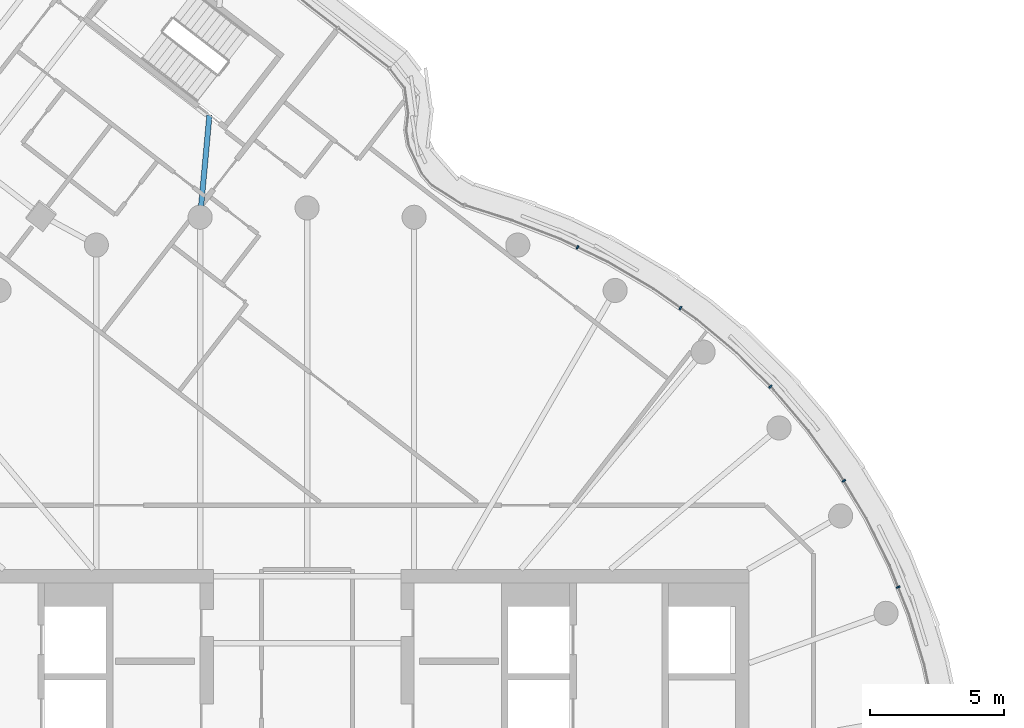
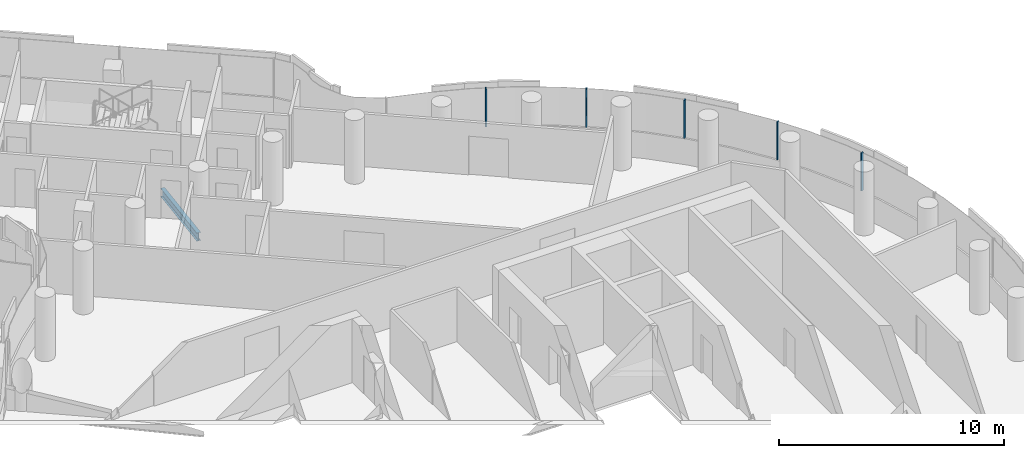
# One storey, part 13 of 26: 5 members, 1 beam, 1 element without a shape of its own.
"""IFC4 building model written with IfcOpenShell, lengths in metres."""

import ifcopenshell
import ifcopenshell.guid

model = None  # the IFC model being written
_history = None  # IfcOwnerHistory: only IFC2X3 demands one
_inside = {}  # id of a spatial element -> (the spatial element, [elements in it])
_under = {}  # id of a project, library or spatial element -> (it, [spatial elements below it])
_declared = {}  # id of a project -> (the project, [libraries it declares])
_typed = {}  # id of a type object -> (the type object, [elements of that type])
_made_of = {}  # id of a material, layer set ... -> (it, [elements and type objects made of it])


def new_model(schema):
    """Start an empty IFC model of exactly this schema.

    Asked for "IFC4X3", IfcOpenShell would pick the latest addendum, in which some entities
    have other attributes; the version numbers below select the first issue.
    IFC2X3 requires an IfcOwnerHistory on every rooted entity: one is made here for all.
    """
    global model, _history
    if schema == "IFC4X3":
        model = ifcopenshell.file(schema_version=(4, 3, 0, 0))
    else:
        model = ifcopenshell.file(schema=schema)
    _inside.clear()
    _under.clear()
    _declared.clear()
    _typed.clear()
    _made_of.clear()
    _history = None
    if model.schema == "IFC2X3":
        org = make("IfcOrganization", Name="unknown")
        user = make(
            "IfcPersonAndOrganization",
            ThePerson=make("IfcPerson", FamilyName="unknown"),
            TheOrganization=org,
        )
        app = make(
            "IfcApplication",
            ApplicationDeveloper=org,
            Version="unknown",
            ApplicationFullName="unknown",
            ApplicationIdentifier="unknown",
        )
        _history = make(
            "IfcOwnerHistory",
            OwningUser=user,
            OwningApplication=app,
            ChangeAction="ADDED",
            CreationDate=0,
        )
    return model


def make(cls, **values):
    """One entity of the class cls with the attributes given. An attribute that is None is left unset."""
    return model.create_entity(
        cls, **{name: value for name, value in values.items() if value is not None}
    )


def rooted(cls, **values):
    """An entity with a GlobalId (a new one), such as an element, a storey or a relation."""
    return make(cls, GlobalId=ifcopenshell.guid.new(), OwnerHistory=_history, **values)


def si_unit(unit_type, name, prefix=None):
    """IfcSIUnit, for example si_unit("LENGTHUNIT", "METRE", prefix="MILLI")."""
    return make("IfcSIUnit", UnitType=unit_type, Prefix=prefix, Name=name)


def assignment(units):
    """IfcUnitAssignment: the units of a project."""
    return None if units is None else make("IfcUnitAssignment", Units=units)


def point(xyz):
    """IfcCartesianPoint."""
    return None if xyz is None else make("IfcCartesianPoint", Coordinates=xyz)


def direction(xyz):
    """IfcDirection."""
    return None if xyz is None else make("IfcDirection", DirectionRatios=xyz)


def frame(location, z_axis=None, x_axis=None):
    """IfcAxis2Placement3D, a coordinate frame: its origin and axes. An axis left out is left unset."""
    return make(
        "IfcAxis2Placement3D",
        Location=point(location),
        Axis=direction(z_axis),
        RefDirection=direction(x_axis),
    )


def frame_2d(location, x_axis=None):
    """IfcAxis2Placement2D, a coordinate frame in the plane: its origin and x axis."""
    return make(
        "IfcAxis2Placement2D", Location=point(location), RefDirection=direction(x_axis)
    )


def origin():
    """The frame at (0, 0, 0) with its axes left unset."""
    return frame((0.0, 0.0, 0.0))


def origin_2d():
    """The frame at (0, 0) in the plane with its x axis left unset."""
    return frame_2d((0.0, 0.0))


def place(relative_to, where):
    """IfcLocalPlacement: puts the frame where relative to a parent placement (None: the world)."""
    return make(
        "IfcLocalPlacement", PlacementRelTo=relative_to, RelativePlacement=where
    )


def context(
    kind, dimensions, precision=None, world=None, true_north=None, identifier=None
):
    """IfcGeometricRepresentationContext, for example the 3D "Model" context."""
    return make(
        "IfcGeometricRepresentationContext",
        ContextIdentifier=identifier,
        ContextType=kind,
        CoordinateSpaceDimension=dimensions,
        Precision=precision,
        WorldCoordinateSystem=world,
        TrueNorth=true_north,
    )


def subcontext(parent, identifier, kind, view, scale=None):
    """IfcGeometricRepresentationSubContext, for example "Body" below "Model"."""
    return make(
        "IfcGeometricRepresentationSubContext",
        ContextIdentifier=identifier,
        ContextType=kind,
        ParentContext=parent,
        TargetScale=scale,
        TargetView=view,
    )


def project(units=None, contexts=None):
    """IfcProject with its units and contexts."""
    return rooted(
        "IfcProject",
        Name="project",
        RepresentationContexts=contexts,
        UnitsInContext=assignment(units),
    )


def spatial(cls, under=None, at=None, **own):
    """A site, building, storey or space (cls), placed at a placement, below another one or the project."""
    s = rooted(cls, ObjectPlacement=at, **own)
    if under is not None:
        _under.setdefault(under.id(), (under, []))[1].append(s)
    return s


def profile(cls, at=None, kind="AREA", **sizes):
    """A parametric profile (cls). Its sizes go by their IFC names, for example OverallWidth=200.0."""
    return make(cls, ProfileType=kind, Position=at, **sizes)


def rectangle(**sizes):
    """IfcRectangleProfileDef."""
    return profile("IfcRectangleProfileDef", **sizes)


def i_section(**sizes):
    """IfcIShapeProfileDef."""
    return profile("IfcIShapeProfileDef", **sizes)


def extrude(swept, where, along, depth):
    """IfcExtrudedAreaSolid: the profile swept, set in the frame where, extruded along a direction by depth."""
    return make(
        "IfcExtrudedAreaSolid",
        SweptArea=swept,
        Position=where,
        ExtrudedDirection=direction(along),
        Depth=depth,
    )


def shape(context_of_items, identifier, shape_type, items):
    """IfcShapeRepresentation: the items that make up one representation, for example the "Body"."""
    return make(
        "IfcShapeRepresentation",
        ContextOfItems=context_of_items,
        RepresentationIdentifier=identifier,
        RepresentationType=shape_type,
        Items=items,
    )


def material(Name=None, Category=None):
    """IfcMaterial."""
    return make("IfcMaterial", Name=Name, Category=Category)


def layer(
    of_material, thickness, ventilated=None, Name=None, Category=None, Priority=None
):
    """IfcMaterialLayer: one layer of a wall or slab, of a material (None: an air gap)."""
    return make(
        "IfcMaterialLayer",
        Material=of_material,
        LayerThickness=thickness,
        IsVentilated=ventilated,
        Name=Name,
        Category=Category,
        Priority=Priority,
    )


def layer_set(layers, Name=None):
    """IfcMaterialLayerSet."""
    return make("IfcMaterialLayerSet", MaterialLayers=layers, LayerSetName=Name)


def material_profile(
    of_material, cross_section, Name=None, Category=None, Priority=None
):
    """IfcMaterialProfile: a cross section and its material."""
    return make(
        "IfcMaterialProfile",
        Name=Name,
        Material=of_material,
        Profile=cross_section,
        Priority=Priority,
        Category=Category,
    )


def profile_set(profiles, Name=None, composite=None):
    """IfcMaterialProfileSet."""
    return make(
        "IfcMaterialProfileSet",
        Name=Name,
        MaterialProfiles=profiles,
        CompositeProfile=composite,
    )


def made_of(thing, what):
    """Note that an element or type object is made of a material, layer set ...; save() writes the relation."""
    if what is not None:
        _made_of.setdefault(what.id(), (what, []))[1].append(thing)
    return thing


def type_object(cls, material=None, **own):
    """A type object (cls), such as IfcWallType, which elements share."""
    return made_of(rooted(cls, **own), material)


def element(
    cls,
    number,
    at=None,
    inside=None,
    cuts=None,
    type_object=None,
    material=None,
    context=None,
    identifier="Body",
    shape_type=None,
    held_by="IfcProductDefinitionShape",
    body=None,
    shapes=None,
    **own,
):
    """One element of the class cls, such as IfcWall. Its Tag is "e" and its number.

    at: its placement. inside: the storey or other place that contains it. cuts: it is an
    opening in that element (IfcRelVoidsElement). A single representation is given by context,
    identifier, shape_type and body (its items); several are given by shapes. held_by: the class
    of the entity that holds the representations. save() writes the other relations.
    """
    e = rooted(cls, Tag="e%d" % number, ObjectPlacement=at, **own)
    if body is not None:
        shapes = [shape(context, identifier, shape_type, body)]
    if shapes is not None:
        e.Representation = make(held_by, Representations=shapes)
    if inside is not None:
        _inside.setdefault(inside.id(), (inside, []))[1].append(e)
    if cuts is not None:
        rooted(
            "IfcRelVoidsElement", RelatingBuildingElement=cuts, RelatedOpeningElement=e
        )
    if type_object is not None:
        _typed.setdefault(type_object.id(), (type_object, []))[1].append(e)
    return made_of(e, material)


def aggregate(whole, parts):
    """IfcRelAggregates: a whole, such as a stair, and the parts it consists of."""
    return rooted("IfcRelAggregates", RelatingObject=whole, RelatedObjects=parts)


def save(model, path):
    """Write the relations noted so far, then the file.

    IfcRelAggregates (storeys below a building ...), IfcRelContainedInSpatialStructure (elements
    in a storey), IfcRelDefinesByType, IfcRelAssociatesMaterial and IfcRelDeclares: one each for
    every whole, place, type object, material and project.
    """
    for whole, parts in _under.values():
        aggregate(whole, parts)
    for where, things in _inside.values():
        rooted(
            "IfcRelContainedInSpatialStructure",
            RelatedElements=things,
            RelatingStructure=where,
        )
    for kind, things in _typed.values():
        rooted("IfcRelDefinesByType", RelatedObjects=things, RelatingType=kind)
    for what, things in _made_of.values():
        rooted("IfcRelAssociatesMaterial", RelatedObjects=things, RelatingMaterial=what)
    for by, libraries in _declared.values():
        rooted("IfcRelDeclares", RelatingContext=by, RelatedDefinitions=libraries)
    model.write(path)


model = new_model("IFC4")

# Units and contexts
model_context = context("Model", 3, precision=1e-05, world=origin(), true_north=direction((0.0, 1.0)))
body_context = subcontext(model_context, "Body", "Model", "MODEL_VIEW")
ifc_project = project(units=[si_unit("LENGTHUNIT", "METRE"), si_unit("AREAUNIT", "SQUARE_METRE"), si_unit("VOLUMEUNIT", "CUBIC_METRE"), si_unit("PLANEANGLEUNIT", "RADIAN"), si_unit("MASSUNIT", "GRAM", prefix="KILO")], contexts=[model_context])

# Site, building, storey
site_placement = place(None, origin())
site = spatial("IfcSite", under=ifc_project, at=site_placement, CompositionType="ELEMENT")
building_placement = place(site_placement, origin())
building = spatial("IfcBuilding", under=site, at=building_placement, Name="Tamarind Cross Interchange Tower", CompositionType="ELEMENT")
storey_placement = place(building_placement, frame((0.0, 0.0, 223.5)))
storey = spatial("IfcBuildingStorey", under=building, at=storey_placement, Name="L56", CompositionType="ELEMENT", Elevation=223.5)

# Beam
ifc_material_1 = material(Name="Steel Q355B", Category="steel")
ifc_material_profile_1 = material_profile(ifc_material_1, i_section(OverallWidth=0.198974609375, OverallDepth=0.446044921875, WebThickness=0.008056640625, FlangeThickness=0.011962890625, FilletRadius=0.012939453125, at=origin_2d()), Name="HN 446x199x8x12")
ifc_profile_set_1 = profile_set([ifc_material_profile_1], Name="Steel Q355B")
beam_type = type_object("IfcBeamType", Name="Composite beam HN 446x199x8x12 Q355B", PredefinedType="BEAM", material=ifc_profile_set_1)
beam_placement = place(storey_placement, frame((-3.64599609375, 26.468505859375, -0.363037109375), z_axis=(-0.090748194458, -0.995873870127, 0.0), x_axis=(0.995873870127, -0.090748194458, 0.0)))
element("IfcBeam", 1, at=beam_placement, inside=storey, type_object=beam_type, Name="Beam N-linkemt1", PredefinedType="BEAM", context=body_context, shape_type="SweptSolid", body=[
    extrude(i_section(OverallWidth=0.198974609375, OverallDepth=0.446044921875, WebThickness=0.008056640625, FlangeThickness=0.011962890625, FilletRadius=0.012939453125, at=origin_2d()), origin(), (0.0, 0.0, 1.0), 3.833740234375),
])

# Curtain wall, members
ifc_material_2 = material(Name="Aluminium 6063-T6", Category="aluminium")
ifc_layer = layer(ifc_material_2, 0.139892578125)
ifc_layer_set = layer_set([ifc_layer], Name="Aluminium 6063-T6")
curtain_wall_type = type_object("IfcCurtainWallType", Name="Hotel curtain wall, 4.5 m bays", PredefinedType="NOTDEFINED", material=ifc_layer_set)
curtain_wall_placement = place(storey_placement, origin())
curtain_wall = element("IfcCurtainWall", 2, at=curtain_wall_placement, inside=storey, type_object=curtain_wall_type, Name="CWS-L56-02", PredefinedType="NOTDEFINED")
ifc_material_profile_2 = material_profile(ifc_material_2, rectangle(XDim=0.06005859375, YDim=0.139892578125, at=origin_2d()), Name="Mullion CW2")
ifc_profile_set_2 = profile_set([ifc_material_profile_2], Name="Aluminium 6063-T6")
member_type = type_object("IfcMemberType", Name="Mullion CW2", PredefinedType="MULLION", material=ifc_profile_set_2)
member_1_placement = place(storey_placement, frame((22.070068359375, 8.843017578125, 1.39990234375), z_axis=(0.0, 0.0, 1.0), x_axis=(-0.367513773146, 0.930018078613, 0.0)))
member_1 = element("IfcMember", 3, at=member_1_placement, type_object=member_type, Name="CWM-L56-02-16", PredefinedType="MULLION", context=body_context, shape_type="SweptSolid", body=[
    extrude(rectangle(XDim=0.06005859375, YDim=0.139892578125, at=origin_2d()), origin(), (0.0, 0.0, 1.0), 2.06005859375),
])
member_2_placement = place(storey_placement, frame((20.038330078125, 12.8125, 1.39990234375), z_axis=(0.0, 0.0, 1.0), x_axis=(-0.515577308909, 0.856843065292, 0.0)))
member_2 = element("IfcMember", 4, at=member_2_placement, type_object=member_type, Name="CWM-L56-02-17", PredefinedType="MULLION", context=body_context, shape_type="SweptSolid", body=[
    extrude(rectangle(XDim=0.06005859375, YDim=0.139892578125, at=origin_2d()), origin(), (0.0, 0.0, 1.0), 2.06005859375),
])
member_3_placement = place(storey_placement, frame((17.2978515625, 16.330078125, 1.39990234375), z_axis=(0.0, 0.0, 1.0), x_axis=(-0.710143317658, 0.704057148523, 0.0)))
member_3 = element("IfcMember", 5, at=member_3_placement, type_object=member_type, Name="CWM-L56-02-18", PredefinedType="MULLION", context=body_context, shape_type="SweptSolid", body=[
    extrude(rectangle(XDim=0.06005859375, YDim=0.139892578125, at=origin_2d()), origin(), (0.0, 0.0, 1.0), 2.06005859375),
])
member_4_placement = place(storey_placement, frame((13.9384765625, 19.2626953125, 1.39990234375), z_axis=(0.0, 0.0, 1.0), x_axis=(-0.816341886298, 0.577568978284, 0.0)))
member_4 = element("IfcMember", 6, at=member_4_placement, type_object=member_type, Name="CWM-L56-02-19", PredefinedType="MULLION", context=body_context, shape_type="SweptSolid", body=[
    extrude(rectangle(XDim=0.06005859375, YDim=0.139892578125, at=origin_2d()), origin(), (0.0, 0.0, 1.0), 2.06005859375),
])
member_5_placement = place(storey_placement, frame((10.09716796875, 21.526611328125, 1.39990234375), z_axis=(0.0, 0.0, 1.0), x_axis=(-0.900272776334, 0.435326231914, 0.0)))
member_5 = element("IfcMember", 7, at=member_5_placement, type_object=member_type, Name="CWM-L56-02-20", PredefinedType="MULLION", context=body_context, shape_type="SweptSolid", body=[
    extrude(rectangle(XDim=0.06005859375, YDim=0.139892578125, at=origin_2d()), origin(), (0.0, 0.0, 1.0), 2.06005859375),
])
aggregate(curtain_wall, [member_1, member_2, member_3, member_4, member_5])

save(model, "model.ifc")
